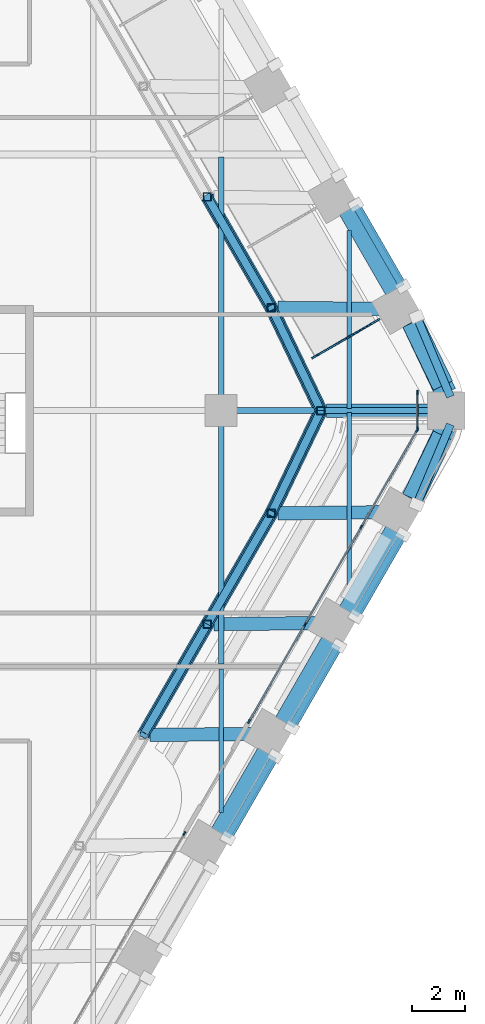
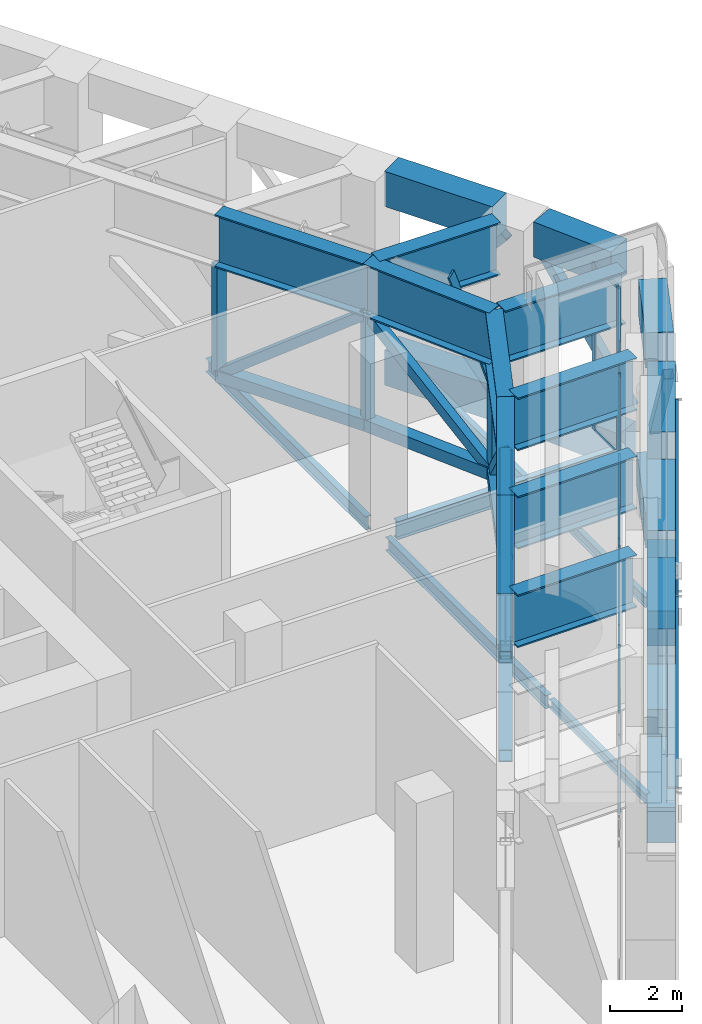
# One storey, part 12 of 35: 37 members, 28 beams, 4 elements without a shape of their own.
"""IFC4 building model written with IfcOpenShell, lengths in metres."""

from ifc_helpers import new_model, si_unit, direction, frame, origin, origin_2d, place, context, subcontext, project, spatial, rectangle, hollow_rectangle, i_section, extrude, material, material_profile, profile_set, type_object, element, aggregate, save


model = new_model("IFC4")

# Units and contexts
model_context = context("Model", 3, precision=1e-05, world=origin(), true_north=direction((0.0, 1.0)))
body_context = subcontext(model_context, "Body", "Model", "MODEL_VIEW")
ifc_project = project(units=[si_unit("LENGTHUNIT", "METRE"), si_unit("AREAUNIT", "SQUARE_METRE"), si_unit("VOLUMEUNIT", "CUBIC_METRE"), si_unit("PLANEANGLEUNIT", "RADIAN"), si_unit("MASSUNIT", "GRAM", prefix="KILO")], contexts=[model_context])

# Site, building, storey
site_placement = place(None, origin())
site = spatial("IfcSite", under=ifc_project, at=site_placement, CompositionType="ELEMENT")
building_placement = place(site_placement, origin())
building = spatial("IfcBuilding", under=site, at=building_placement, Name="Kolab Exchange Tower", CompositionType="ELEMENT")
storey_placement = place(building_placement, frame((0.0, 0.0, 71.89990234375)))
storey = spatial("IfcBuildingStorey", under=building, at=storey_placement, Name="L13", CompositionType="ELEMENT", Elevation=71.89990234375)

# Members
ifc_material_1 = material(Name="Steel S355", Category="steel")
ifc_material_profile_1 = material_profile(ifc_material_1, hollow_rectangle(XDim=0.300048828125, YDim=0.300048828125, WallThickness=0.01611328125, at=origin_2d()), Name="HSS300X300X16")
ifc_profile_set_1 = profile_set([ifc_material_profile_1], Name="Steel S355")
member_type_1 = type_object("IfcMemberType", Name="BELT TRUSS BRACE HSS300X300X16", PredefinedType="BRACE", material=ifc_profile_set_1)
member_1_placement = place(storey_placement, frame((28.280517578125, 8.013916015625, 0.25), z_axis=(0.393995973328, -0.682458742407, 0.615643758934), x_axis=(0.866037363387, 0.499979284789, 0.0)))
element("IfcMember", 1, at=member_1_placement, inside=storey, type_object=member_type_1, Name="mem/L13/ring/d-F2-06", PredefinedType="BRACE", context=body_context, shape_type="SweptSolid", body=[
    extrude(hollow_rectangle(XDim=0.300048828125, YDim=0.300048828125, WallThickness=0.01611328125, at=origin_2d()), origin(), (0.0, 0.0, 1.0), 6.091064453125),
])
for number, where, z_axis, x_axis, name in (
    (2, (30.680419921875, 3.85693359375, 4.0), (0.326067240374, -0.677790824134, -0.658999054229), (0.901145304527, 0.433517173972, 0.0), "mem/L13/ring/d-F2-07"),
    (3, (32.535888671875, 0.0, 0.25), (-0.326067240374, -0.677790824134, 0.658999054229), (0.901145304527, -0.433517173972, 0.0), "mem/L13/ring/d-F3-01"),
):
    element("IfcMember", number, at=place(storey_placement, frame(where, z_axis=z_axis, x_axis=x_axis)), inside=storey, type_object=member_type_1, Name=name, PredefinedType="BRACE", context=body_context, shape_type="SweptSolid", body=[
        extrude(hollow_rectangle(XDim=0.300048828125, YDim=0.300048828125, WallThickness=0.01611328125, at=origin_2d()), origin(), (0.0, 0.0, 1.0), 5.6904296875),
    ])
member_2_placement = place(storey_placement, frame((30.680419921875, -3.85693359375, 4.0), z_axis=(-0.393995973328, -0.682458742407, -0.615643758934), x_axis=(0.866037363387, -0.499979284789, 0.0)))
element("IfcMember", 4, at=member_2_placement, inside=storey, type_object=member_type_1, Name="mem/L13/ring/d-F3-02", PredefinedType="BRACE", context=body_context, shape_type="SweptSolid", body=[
    extrude(hollow_rectangle(XDim=0.300048828125, YDim=0.300048828125, WallThickness=0.01611328125, at=origin_2d()), origin(), (0.0, 0.0, 1.0), 6.091064453125),
])
member_3_placement = place(storey_placement, frame((28.280517578125, -8.013916015625, 0.25), z_axis=(-0.394029831617, -0.682447964901, 0.615634036582), x_axis=(0.866015339567, -0.500017431331, 0.0)))
element("IfcMember", 5, at=member_3_placement, inside=storey, type_object=member_type_1, Name="mem/L13/ring/d-F3-03", PredefinedType="BRACE", context=body_context, shape_type="SweptSolid", body=[
    extrude(hollow_rectangle(XDim=0.300048828125, YDim=0.300048828125, WallThickness=0.01611328125, at=origin_2d()), origin(), (0.0, 0.0, 1.0), 6.09130859375),
])
member_4_placement = place(storey_placement, frame((33.851318359375, 7.72705078125, 0.400146484375), z_axis=(0.328639455646, -0.569235883224, 0.753635599904), x_axis=(0.866031355668, 0.499989690894, 0.0)))
element("IfcMember", 6, at=member_4_placement, inside=storey, type_object=member_type_1, Name="mem/L13/fb/F2-07", PredefinedType="BRACE", context=body_context, shape_type="SweptSolid", body=[
    extrude(hollow_rectangle(XDim=0.300048828125, YDim=0.300048828125, WallThickness=0.01611328125, at=origin_2d()), origin(), (0.0, 0.0, 1.0), 5.3740234375),
])
for number, where, z_axis, x_axis, name in (
    (7, (36.13916015625, 3.5107421875, 4.4501953125), (0.236569610991, -0.563022308645, -0.791859014676), (0.92192349331, 0.387372007872, 0.0), "mem/L13/fb/F2-08"),
    (8, (37.34912109375, -0.631103515625, 0.400146484375), (-0.236569610991, -0.563022308645, 0.791859014676), (0.92192349331, -0.387372007872, 0.0), "mem/L13/fb/F3-01"),
):
    element("IfcMember", number, at=place(storey_placement, frame(where, z_axis=z_axis, x_axis=x_axis)), inside=storey, type_object=member_type_1, Name=name, PredefinedType="BRACE", context=body_context, shape_type="SweptSolid", body=[
        extrude(hollow_rectangle(XDim=0.300048828125, YDim=0.300048828125, WallThickness=0.01611328125, at=origin_2d()), origin(), (0.0, 0.0, 1.0), 5.114501953125),
    ])
for number, where, z_axis, x_axis, name in (
    (9, (35.617431640625, -4.66796875, 4.4501953125), (-0.328639455646, -0.569235883224, -0.753635599904), (0.866031355668, -0.499989690894, 0.0), "mem/L13/fb/F3-02"),
    (10, (33.217529296875, -8.824951171875, 0.400146484375), (-0.328639455646, -0.569235883224, 0.753635599904), (0.866031355668, -0.499989690894, 0.0), "mem/L13/fb/F3-03"),
):
    element("IfcMember", number, at=place(storey_placement, frame(where, z_axis=z_axis, x_axis=x_axis)), inside=storey, type_object=member_type_1, Name=name, PredefinedType="BRACE", context=body_context, shape_type="SweptSolid", body=[
        extrude(hollow_rectangle(XDim=0.300048828125, YDim=0.300048828125, WallThickness=0.01611328125, at=origin_2d()), origin(), (0.0, 0.0, 1.0), 5.3740234375),
    ])
member_5_placement = place(storey_placement, frame((30.8173828125, -12.981689453125, 4.4501953125), z_axis=(-0.328630956923, -0.569266591264, -0.753616110644), x_axis=(0.866048632561, -0.49995976442, 0.0)))
element("IfcMember", 11, at=member_5_placement, inside=storey, type_object=member_type_1, Name="mem/L13/fb/F3-04", PredefinedType="BRACE", context=body_context, shape_type="SweptSolid", body=[
    extrude(hollow_rectangle(XDim=0.300048828125, YDim=0.300048828125, WallThickness=0.01611328125, at=origin_2d()), origin(), (0.0, 0.0, 1.0), 5.374267578125),
])
ifc_material_profile_2 = material_profile(ifc_material_1, hollow_rectangle(XDim=0.39990234375, YDim=0.39990234375, WallThickness=0.02001953125, at=origin_2d()), Name="HSS400X400X20")
ifc_profile_set_2 = profile_set([ifc_material_profile_2], Name="Steel S355")
member_type_2 = type_object("IfcMemberType", Name="BELT TRUSS CHORD HSS400X400X20", PredefinedType="CHORD", material=ifc_profile_set_2)
member_6_placement = place(storey_placement, frame((28.280517578125, 8.013916015625, 0.25), z_axis=(0.499979284789, -0.866037363387, 0.0), x_axis=(0.866037363387, 0.499979284789, 0.0)))
element("IfcMember", 12, at=member_6_placement, inside=storey, type_object=member_type_2, Name="mem/L13/ring/c-F2-06", PredefinedType="CHORD", context=body_context, shape_type="SweptSolid", body=[
    extrude(hollow_rectangle(XDim=0.39990234375, YDim=0.39990234375, WallThickness=0.02001953125, at=origin_2d()), origin(), (0.0, 0.0, 1.0), 4.800048828125),
])
for number, where, z_axis, x_axis, name in (
    (13, (30.680419921875, 3.85693359375, 0.25), (0.433517173972, -0.901145304527, 0.0), (0.901145304527, 0.433517173972, 0.0), "mem/L13/ring/c-F2-07"),
    (14, (32.535888671875, 0.0, 0.25), (-0.433517173972, -0.901145304527, 0.0), (0.901145304527, -0.433517173972, 0.0), "mem/L13/ring/c-F3-01"),
):
    element("IfcMember", number, at=place(storey_placement, frame(where, z_axis=z_axis, x_axis=x_axis)), inside=storey, type_object=member_type_2, Name=name, PredefinedType="CHORD", context=body_context, shape_type="SweptSolid", body=[
        extrude(hollow_rectangle(XDim=0.39990234375, YDim=0.39990234375, WallThickness=0.02001953125, at=origin_2d()), origin(), (0.0, 0.0, 1.0), 4.280029296875),
    ])
for number, where, z_axis, x_axis, name in (
    (15, (30.680419921875, -3.85693359375, 0.25), (-0.499979284789, -0.866037363387, 0.0), (0.866037363387, -0.499979284789, 0.0), "mem/L13/ring/c-F3-02"),
    (16, (28.280517578125, -8.013916015625, 0.25), (-0.500017431331, -0.866015339567, 0.0), (0.866015339567, -0.500017431331, 0.0), "mem/L13/ring/c-F3-03"),
):
    element("IfcMember", number, at=place(storey_placement, frame(where, z_axis=z_axis, x_axis=x_axis)), inside=storey, type_object=member_type_2, Name=name, PredefinedType="CHORD", context=body_context, shape_type="SweptSolid", body=[
        extrude(hollow_rectangle(XDim=0.39990234375, YDim=0.39990234375, WallThickness=0.02001953125, at=origin_2d()), origin(), (0.0, 0.0, 1.0), 4.800048828125),
    ])

# Beams
ifc_material_profile_3 = material_profile(ifc_material_1, i_section(OverallWidth=0.5, OverallDepth=1.800048828125, WebThickness=0.031982421875, FlangeThickness=0.050048828125, at=origin_2d()), Name="PG1800X500")
ifc_profile_set_3 = profile_set([ifc_material_profile_3], Name="Steel S355")
beam_type_1 = type_object("IfcBeamType", Name="BELT TRUSS GIRDER PG1800X500", PredefinedType="BEAM", material=ifc_profile_set_3)
beam_1_placement = place(storey_placement, frame((28.280517578125, 8.013916015625, 4.900146484375), z_axis=(0.499979284789, -0.866037363387, 0.0), x_axis=(0.866037363387, 0.499979284789, 0.0)))
element("IfcBeam", 17, at=beam_1_placement, inside=storey, type_object=beam_type_1, Name="beam/L13/bg/F2-run4", PredefinedType="BEAM", context=body_context, shape_type="SweptSolid", body=[
    extrude(i_section(OverallWidth=0.5, OverallDepth=1.800048828125, WebThickness=0.031982421875, FlangeThickness=0.050048828125, at=origin_2d()), origin(), (0.0, 0.0, 1.0), 4.800048828125),
])
for number, where, z_axis, x_axis, name in (
    (18, (30.680419921875, 3.85693359375, 4.900146484375), (0.433517173972, -0.901145304527, 0.0), (0.901145304527, 0.433517173972, 0.0), "beam/L13/bg/F2-out"),
    (19, (32.535888671875, 0.0, 4.900146484375), (-0.433517173972, -0.901145304527, 0.0), (0.901145304527, -0.433517173972, 0.0), "beam/L13/bg/F3-in"),
):
    element("IfcBeam", number, at=place(storey_placement, frame(where, z_axis=z_axis, x_axis=x_axis)), inside=storey, type_object=beam_type_1, Name=name, PredefinedType="BEAM", context=body_context, shape_type="SweptSolid", body=[
        extrude(i_section(OverallWidth=0.5, OverallDepth=1.800048828125, WebThickness=0.031982421875, FlangeThickness=0.050048828125, at=origin_2d()), origin(), (0.0, 0.0, 1.0), 4.280029296875),
    ])
for number, where, z_axis, x_axis, name in (
    (20, (30.680419921875, -3.85693359375, 4.900146484375), (-0.499979284789, -0.866037363387, 0.0), (0.866037363387, -0.499979284789, 0.0), "beam/L13/bg/F3-run0"),
    (21, (28.280517578125, -8.013916015625, 4.900146484375), (-0.500017431331, -0.866015339567, 0.0), (0.866015339567, -0.500017431331, 0.0), "beam/L13/bg/F3-run1"),
):
    element("IfcBeam", number, at=place(storey_placement, frame(where, z_axis=z_axis, x_axis=x_axis)), inside=storey, type_object=beam_type_1, Name=name, PredefinedType="BEAM", context=body_context, shape_type="SweptSolid", body=[
        extrude(i_section(OverallWidth=0.5, OverallDepth=1.800048828125, WebThickness=0.031982421875, FlangeThickness=0.050048828125, at=origin_2d()), origin(), (0.0, 0.0, 1.0), 4.800048828125),
    ])

# Members
ifc_material_profile_4 = material_profile(ifc_material_1, hollow_rectangle(XDim=0.300048828125, YDim=0.300048828125, WallThickness=0.01611328125, at=origin_2d()), Name="HSS300X300X16")
ifc_profile_set_4 = profile_set([ifc_material_profile_4], Name="Steel S355")
member_type_3 = type_object("IfcMemberType", Name="BELT TRUSS POST HSS300X300X16", PredefinedType="POST", material=ifc_profile_set_4)
for number, where, z_axis, x_axis, name in (
    (22, (28.280517578125, 8.013916015625, 0.25), (0.0, 0.0, 1.0), (1.0, 0.0, 0.0), "mem/L13/ring/p-F2-06"),
    (23, (30.680419921875, 3.85693359375, 0.25), (0.0, 0.0, 1.0), (1.0, 0.0, 0.0), "mem/L13/ring/p-F2-07"),
    (24, (32.535888671875, 0.0, 0.25), (0.0, 0.0, 1.0), (1.0, 0.0, 0.0), "mem/L13/ring/p-F3-01"),
    (25, (30.680419921875, -3.85693359375, 0.25), (0.0, 0.0, 1.0), (1.0, 0.0, 0.0), "mem/L13/ring/p-F3-02"),
    (26, (28.280517578125, -8.013916015625, 0.25), (0.0, 0.0, 1.0), (1.0, 0.0, 0.0), "mem/L13/ring/p-F3-03"),
):
    element("IfcMember", number, at=place(storey_placement, frame(where, z_axis=z_axis, x_axis=x_axis)), inside=storey, type_object=member_type_3, Name=name, PredefinedType="POST", context=body_context, shape_type="SweptSolid", body=[
        extrude(hollow_rectangle(XDim=0.300048828125, YDim=0.300048828125, WallThickness=0.01611328125, at=origin_2d()), origin(), (0.0, 0.0, 1.0), 3.75),
    ])

# Curtain wall, member
ifc_material_2 = material(Name="Aluminium EN AW-6063 T6", Category="aluminium")
curtain_wall_type_1 = type_object("IfcCurtainWallType", Name="CANTED BAND CURTAIN WALL", PredefinedType="NOTDEFINED", material=ifc_material_2)
curtain_wall_1_placement = place(storey_placement, origin())
curtain_wall_1 = element("IfcCurtainWall", 27, at=curtain_wall_1_placement, inside=storey, type_object=curtain_wall_type_1, Name="band/L13/F2", PredefinedType="NOTDEFINED")
ifc_material_profile_5 = material_profile(ifc_material_2, rectangle(XDim=0.06005859375, YDim=0.300048828125, at=origin_2d()), Name="RECT 60X300")
ifc_profile_set_5 = profile_set([ifc_material_profile_5], Name="Aluminium EN AW-6063 T6")
member_type_4 = type_object("IfcMemberType", Name="CANTED BAND MULLION 60 X 300", PredefinedType="MULLION", material=ifc_profile_set_5)
member_7_placement = place(storey_placement, frame((34.631591796875, 3.366943359375, -0.099853515625), z_axis=(-0.355801131063, -0.205424096945, 0.911705267907), x_axis=(0.500004049237, -0.866023065944, 0.0)))
member_7 = element("IfcMember", 28, at=member_7_placement, type_object=member_type_4, Name="Band mullion", PredefinedType="MULLION", context=body_context, shape_type="SweptSolid", body=[
    extrude(rectangle(XDim=0.06005859375, YDim=0.300048828125, at=origin_2d()), origin(), (0.0, 0.0, 1.0), 6.51513671875),
])
aggregate(curtain_wall_1, [member_7])

# Beams
ifc_material_profile_6 = material_profile(ifc_material_1, i_section(OverallWidth=0.1650390625, OverallDepth=0.31005859375, WebThickness=0.005859375, FlangeThickness=0.009765625, at=origin_2d()), Name="W310X39")
ifc_profile_set_6 = profile_set([ifc_material_profile_6], Name="Steel S355")
beam_type_2 = type_object("IfcBeamType", Name="FLOOR BEAM W310X39", PredefinedType="BEAM", material=ifc_profile_set_6)
beam_2_placement = place(storey_placement, frame((28.800048828125, -15.067626953125, -0.454833984375), z_axis=(0.0, 1.0, 0.0), x_axis=(-1.0, 0.0, 0.0)))
element("IfcBeam", 29, at=beam_2_placement, inside=storey, type_object=beam_type_2, Name="beam/L13/fr/058", PredefinedType="BEAM", context=body_context, shape_type="SweptSolid", body=[
    extrude(i_section(OverallWidth=0.1650390625, OverallDepth=0.31005859375, WebThickness=0.005859375, FlangeThickness=0.009765625, at=origin_2d()), origin(), (0.0, 0.0, 1.0), 5.3740234375),
])
ifc_material_profile_7 = material_profile(ifc_material_1, i_section(OverallWidth=0.1708984375, OverallDepth=0.35498046875, WebThickness=0.007080078125, FlangeThickness=0.01171875, at=origin_2d()), Name="W360X51")
ifc_profile_set_7 = profile_set([ifc_material_profile_7], Name="Steel S355")
beam_type_3 = type_object("IfcBeamType", Name="FLOOR BEAM W360X51", PredefinedType="BEAM", material=ifc_profile_set_7)
for number, where, z_axis, x_axis, name in (
    (30, (33.60009765625, -6.75390625, -0.477294921875), (0.0, 1.0, 0.0), (-1.0, 0.0, 0.0), "beam/L13/fr/062"),
    (31, (33.60009765625, 0.073974609375, -0.477294921875), (0.0, 1.0, 0.0), (-1.0, 0.0, 0.0), "beam/L13/fr/063"),
):
    element("IfcBeam", number, at=place(storey_placement, frame(where, z_axis=z_axis, x_axis=x_axis)), inside=storey, type_object=beam_type_3, Name=name, PredefinedType="BEAM", context=body_context, shape_type="SweptSolid", body=[
        extrude(i_section(OverallWidth=0.1708984375, OverallDepth=0.35498046875, WebThickness=0.007080078125, FlangeThickness=0.01171875, at=origin_2d()), origin(), (0.0, 0.0, 1.0), 6.679931640625),
    ])
ifc_material_profile_8 = material_profile(ifc_material_1, i_section(OverallWidth=0.18994140625, OverallDepth=0.45703125, WebThickness=0.009033203125, FlangeThickness=0.014404296875, at=origin_2d()), Name="W460X74")
ifc_profile_set_8 = profile_set([ifc_material_profile_8], Name="Steel S355")
beam_type_4 = type_object("IfcBeamType", Name="FLOOR BEAM W460X74", PredefinedType="BEAM", material=ifc_profile_set_8)
for number, where, z_axis, x_axis, name in (
    (32, (28.800048828125, -9.506591796875, -0.5283203125), (0.0, 1.0, 0.0), (-1.0, 0.0, 0.0), "beam/L13/fr/059"),
    (33, (28.800048828125, 0.56005859375, -0.5283203125), (0.0, 1.0, 0.0), (-1.0, 0.0, 0.0), "beam/L13/fr/060"),
):
    element("IfcBeam", number, at=place(storey_placement, frame(where, z_axis=z_axis, x_axis=x_axis)), inside=storey, type_object=beam_type_4, Name=name, PredefinedType="BEAM", context=body_context, shape_type="SweptSolid", body=[
        extrude(i_section(OverallWidth=0.18994140625, OverallDepth=0.45703125, WebThickness=0.009033203125, FlangeThickness=0.014404296875, at=origin_2d()), origin(), (0.0, 0.0, 1.0), 8.946533203125),
    ])
ifc_material_profile_9 = material_profile(ifc_material_1, i_section(OverallWidth=0.22802734375, OverallDepth=0.60791015625, WebThickness=0.01123046875, FlangeThickness=0.017333984375, at=origin_2d()), Name="W610X113")
ifc_profile_set_9 = profile_set([ifc_material_profile_9], Name="Steel S355")
beam_type_5 = type_object("IfcBeamType", Name="FLOOR GIRDER W610X113", PredefinedType="BEAM", material=ifc_profile_set_9)
beam_3_placement = place(storey_placement, frame((29.360107421875, 0.0, -0.60400390625), z_axis=(1.0, 0.0, 0.0), x_axis=(0.0, 1.0, 0.0)))
element("IfcBeam", 34, at=beam_3_placement, inside=storey, type_object=beam_type_5, Name="beam/L13/gd/025", PredefinedType="BEAM", context=body_context, shape_type="SweptSolid", body=[
    extrude(i_section(OverallWidth=0.22802734375, OverallDepth=0.60791015625, WebThickness=0.01123046875, FlangeThickness=0.017333984375, at=origin_2d()), origin(), (0.0, 0.0, 1.0), 7.2158203125),
])
ifc_material_3 = material(Name="Concrete C80/95", Category="concrete")
ifc_material_profile_10 = material_profile(ifc_material_3, rectangle(XDim=0.800048828125, YDim=1.199951171875, at=origin_2d()), Name="RC800X1200")
ifc_profile_set_10 = profile_set([ifc_material_profile_10], Name="Concrete C80/95")
beam_type_6 = type_object("IfcBeamType", Name="SPANDREL BEAM 800X1200 C80/95", PredefinedType="BEAM", material=ifc_profile_set_10)
beam_4_placement = place(storey_placement, frame((33.58349609375, 7.542236328125, -0.89990234375), z_axis=(0.500009906705, -0.86601968407, 0.0), x_axis=(0.86601968407, 0.500009906705, 0.0)))
element("IfcBeam", 35, at=beam_4_placement, inside=storey, type_object=beam_type_6, Name="beam/L13/sp/F2-07", PredefinedType="BEAM", context=body_context, shape_type="SweptSolid", body=[
    extrude(rectangle(XDim=0.800048828125, YDim=1.199951171875, at=origin_2d()), origin(), (0.0, 0.0, 1.0), 3.47998046875),
])
for number, where, z_axis, x_axis, name in (
    (36, (35.93798828125, 3.35888671875, -0.89990234375), (0.429555669245, -0.903040379507, 0.0), (0.903040379507, 0.429555669245, 0.0), "beam/L13/sp/F2-08"),
    (37, (37.219970703125, -0.663818359375, -0.89990234375), (-0.429555669245, -0.903040379507, 0.0), (0.903040379507, -0.429555669245, 0.0), "beam/L13/sp/F3-01"),
):
    element("IfcBeam", number, at=place(storey_placement, frame(where, z_axis=z_axis, x_axis=x_axis)), inside=storey, type_object=beam_type_6, Name=name, PredefinedType="BEAM", context=body_context, shape_type="SweptSolid", body=[
        extrude(rectangle(XDim=0.800048828125, YDim=1.199951171875, at=origin_2d()), origin(), (0.0, 0.0, 1.0), 2.984375),
    ])
beam_5_placement = place(storey_placement, frame((35.323486328125, -4.528564453125, -0.89990234375), z_axis=(-0.500009906705, -0.86601968407, 0.0), x_axis=(0.86601968407, -0.500009906705, 0.0)))
element("IfcBeam", 38, at=beam_5_placement, inside=storey, type_object=beam_type_6, Name="beam/L13/sp/F3-02", PredefinedType="BEAM", context=body_context, shape_type="SweptSolid", body=[
    extrude(rectangle(XDim=0.800048828125, YDim=1.199951171875, at=origin_2d()), origin(), (0.0, 0.0, 1.0), 3.47998046875),
])
for number, where, z_axis, x_axis, name in (
    (39, (32.923583984375, -8.685302734375, -0.89990234375), (-0.499979528911, -0.866037222451, 0.0), (0.866037222451, -0.499979528911, 0.0), "beam/L13/sp/F3-03"),
    (40, (30.523681640625, -12.84228515625, -0.89990234375), (-0.499979528911, -0.866037222451, 0.0), (0.866037222451, -0.499979528911, 0.0), "beam/L13/sp/F3-04"),
):
    element("IfcBeam", number, at=place(storey_placement, frame(where, z_axis=z_axis, x_axis=x_axis)), inside=storey, type_object=beam_type_6, Name=name, PredefinedType="BEAM", context=body_context, shape_type="SweptSolid", body=[
        extrude(rectangle(XDim=0.800048828125, YDim=1.199951171875, at=origin_2d()), origin(), (0.0, 0.0, 1.0), 3.480224609375),
    ])
beam_6_placement = place(storey_placement, frame((33.58349609375, 7.542236328125, 5.2001953125), z_axis=(0.500009906705, -0.86601968407, 0.0), x_axis=(0.86601968407, 0.500009906705, 0.0)))
element("IfcBeam", 41, at=beam_6_placement, inside=storey, type_object=beam_type_6, Name="beam/L13/cp/F2-07", PredefinedType="BEAM", context=body_context, shape_type="SweptSolid", body=[
    extrude(rectangle(XDim=0.800048828125, YDim=1.199951171875, at=origin_2d()), origin(), (0.0, 0.0, 1.0), 3.47998046875),
])
for number, where, z_axis, x_axis, name in (
    (42, (35.97265625, 3.29931640625, 5.2001953125), (0.435607113353, -0.900136902252, 0.0), (0.900136902252, 0.435607113353, 0.0), "beam/L13/cp/F2-08"),
    (43, (37.1162109375, -0.936279296875, 5.2001953125), (-0.435607113353, -0.900136902252, 0.0), (0.900136902252, -0.435607113353, 0.0), "beam/L13/cp/F3-01"),
):
    element("IfcBeam", number, at=place(storey_placement, frame(where, z_axis=z_axis, x_axis=x_axis)), inside=storey, type_object=beam_type_6, Name=name, PredefinedType="BEAM", context=body_context, shape_type="SweptSolid", body=[
        extrude(rectangle(XDim=0.800048828125, YDim=1.199951171875, at=origin_2d()), origin(), (0.0, 0.0, 1.0), 2.625244140625),
    ])
beam_7_placement = place(storey_placement, frame((35.323486328125, -4.528564453125, 5.2001953125), z_axis=(-0.500009906705, -0.86601968407, 0.0), x_axis=(0.86601968407, -0.500009906705, 0.0)))
element("IfcBeam", 44, at=beam_7_placement, inside=storey, type_object=beam_type_6, Name="beam/L13/cp/F3-02", PredefinedType="BEAM", context=body_context, shape_type="SweptSolid", body=[
    extrude(rectangle(XDim=0.800048828125, YDim=1.199951171875, at=origin_2d()), origin(), (0.0, 0.0, 1.0), 3.47998046875),
])
for number, where, z_axis, x_axis, name in (
    (45, (32.923583984375, -8.685302734375, 5.2001953125), (-0.499979528911, -0.866037222451, 0.0), (0.866037222451, -0.499979528911, 0.0), "beam/L13/cp/F3-03"),
    (46, (30.523681640625, -12.84228515625, 5.2001953125), (-0.499979528911, -0.866037222451, 0.0), (0.866037222451, -0.499979528911, 0.0), "beam/L13/cp/F3-04"),
):
    element("IfcBeam", number, at=place(storey_placement, frame(where, z_axis=z_axis, x_axis=x_axis)), inside=storey, type_object=beam_type_6, Name=name, PredefinedType="BEAM", context=body_context, shape_type="SweptSolid", body=[
        extrude(rectangle(XDim=0.800048828125, YDim=1.199951171875, at=origin_2d()), origin(), (0.0, 0.0, 1.0), 3.480224609375),
    ])
ifc_material_profile_11 = material_profile(ifc_material_1, i_section(OverallWidth=0.5, OverallDepth=1.800048828125, WebThickness=0.031982421875, FlangeThickness=0.050048828125, at=origin_2d()), Name="PG1800X500")
ifc_profile_set_11 = profile_set([ifc_material_profile_11], Name="Steel S355")
beam_type_7 = type_object("IfcBeamType", Name="TRANSFER GIRDER PG1800X500", PredefinedType="BEAM", material=ifc_profile_set_11)
beam_8_placement = place(storey_placement, frame((30.930419921875, 3.854248046875, 4.900146484375), z_axis=(0.999943937573, -0.010588753956, 0.0), x_axis=(0.010588753956, 0.999943937573, 0.0)))
element("IfcBeam", 47, at=beam_8_placement, inside=storey, type_object=beam_type_7, Name="beam/L13/tg/F2-07", PredefinedType="BEAM", context=body_context, shape_type="SweptSolid", body=[
    extrude(i_section(OverallWidth=0.5, OverallDepth=1.800048828125, WebThickness=0.031982421875, FlangeThickness=0.050048828125, at=origin_2d()), origin(), (0.0, 0.0, 1.0), 3.87353515625),
])
beam_9_placement = place(storey_placement, frame((32.755859375, 0.0, 4.900146484375), z_axis=(1.0, 0.0, 0.0), x_axis=(0.0, 1.0, 0.0)))
element("IfcBeam", 48, at=beam_9_placement, inside=storey, type_object=beam_type_7, Name="beam/L13/tg/F3-01", PredefinedType="BEAM", context=body_context, shape_type="SweptSolid", body=[
    extrude(i_section(OverallWidth=0.5, OverallDepth=1.800048828125, WebThickness=0.031982421875, FlangeThickness=0.050048828125, at=origin_2d()), origin(), (0.0, 0.0, 1.0), 3.89013671875),
])
for number, where, z_axis, x_axis, name in (
    (49, (30.930419921875, -3.854248046875, 4.900146484375), (0.999943937573, 0.010588753956, 0.0), (-0.010588753956, 0.999943937573, 0.0), "beam/L13/tg/F3-02"),
    (50, (28.530517578125, -8.01123046875, 4.900146484375), (0.999943937573, 0.010588753956, 0.0), (-0.010588753956, 0.999943937573, 0.0), "beam/L13/tg/F3-03"),
):
    element("IfcBeam", number, at=place(storey_placement, frame(where, z_axis=z_axis, x_axis=x_axis)), inside=storey, type_object=beam_type_7, Name=name, PredefinedType="BEAM", context=body_context, shape_type="SweptSolid", body=[
        extrude(i_section(OverallWidth=0.5, OverallDepth=1.800048828125, WebThickness=0.031982421875, FlangeThickness=0.050048828125, at=origin_2d()), origin(), (0.0, 0.0, 1.0), 3.87353515625),
    ])
beam_10_placement = place(storey_placement, frame((26.13037109375, -12.168212890625, 4.900146484375), z_axis=(0.999943275385, 0.010651103841, 0.0), x_axis=(-0.010651103841, 0.999943275385, 0.0)))
element("IfcBeam", 51, at=beam_10_placement, inside=storey, type_object=beam_type_7, Name="beam/L13/tg/F3-04", PredefinedType="BEAM", context=body_context, shape_type="SweptSolid", body=[
    extrude(i_section(OverallWidth=0.5, OverallDepth=1.800048828125, WebThickness=0.031982421875, FlangeThickness=0.050048828125, at=origin_2d()), origin(), (0.0, 0.0, 1.0), 3.873779296875),
])

# Curtain wall, members
curtain_wall_type_2 = type_object("IfcCurtainWallType", Name="UNITISED LOW ZONE BELT CURTAIN WALL", PredefinedType="NOTDEFINED", material=ifc_material_2)
curtain_wall_2_placement = place(storey_placement, origin())
curtain_wall_2 = element("IfcCurtainWall", 52, at=curtain_wall_2_placement, inside=storey, type_object=curtain_wall_type_2, Name="cw/L13/F3-1", PredefinedType="NOTDEFINED")
ifc_material_profile_12 = material_profile(ifc_material_2, rectangle(XDim=0.06005859375, YDim=0.159912109375, at=origin_2d()), Name="RECT 60X160")
ifc_profile_set_12 = profile_set([ifc_material_profile_12], Name="Aluminium EN AW-6063 T6")
member_type_5 = type_object("IfcMemberType", Name="UNITISED LOW ZONE BELT MULLION 60 X 160", PredefinedType="MULLION", material=ifc_profile_set_12)
member_8_placement = place(storey_placement, frame((36.150634765625, -0.736083984375, 0.0), z_axis=(0.0, 0.0, 1.0), x_axis=(0.866025427826, -0.499999958358, 0.0)))
member_8 = element("IfcMember", 53, at=member_8_placement, type_object=member_type_5, Name="CW9 mullion 1", PredefinedType="MULLION", context=body_context, shape_type="SweptSolid", body=[
    extrude(rectangle(XDim=0.06005859375, YDim=0.159912109375, at=origin_2d()), origin(), (0.0, 0.0, 1.0), 5.7001953125),
])
member_9_placement = place(storey_placement, frame((34.054443359375, -4.366943359375, 0.0), z_axis=(0.0, 0.0, 1.0), x_axis=(0.866025427826, -0.499999958358, 0.0)))
member_9 = element("IfcMember", 54, at=member_9_placement, type_object=member_type_5, Name="CW9 mullion 2", PredefinedType="MULLION", context=body_context, shape_type="SweptSolid", body=[
    extrude(rectangle(XDim=0.06005859375, YDim=0.159912109375, at=origin_2d()), origin(), (0.0, 0.0, 1.0), 5.7001953125),
])
member_10_placement = place(storey_placement, frame((31.943115234375, -8.02392578125, 0.0), z_axis=(0.0, 0.0, 1.0), x_axis=(0.866025427826, -0.499999958358, 0.0)))
member_10 = element("IfcMember", 55, at=member_10_placement, type_object=member_type_5, Name="CW9 mullion 3", PredefinedType="MULLION", context=body_context, shape_type="SweptSolid", body=[
    extrude(rectangle(XDim=0.06005859375, YDim=0.159912109375, at=origin_2d()), origin(), (0.0, 0.0, 1.0), 5.7001953125),
])
member_11_placement = place(storey_placement, frame((29.8466796875, -11.65478515625, 0.0), z_axis=(0.0, 0.0, 1.0), x_axis=(0.866025427826, -0.499999958358, 0.0)))
member_11 = element("IfcMember", 56, at=member_11_placement, type_object=member_type_5, Name="CW9 mullion 4", PredefinedType="MULLION", context=body_context, shape_type="SweptSolid", body=[
    extrude(rectangle(XDim=0.06005859375, YDim=0.159912109375, at=origin_2d()), origin(), (0.0, 0.0, 1.0), 5.7001953125),
])

# Curtain wall, member
curtain_wall_3_placement = place(storey_placement, origin())
curtain_wall_3 = element("IfcCurtainWall", 57, at=curtain_wall_3_placement, inside=storey, type_object=curtain_wall_type_2, Name="cw/L13/F3-2", PredefinedType="NOTDEFINED")
member_12_placement = place(storey_placement, frame((27.416748046875, -15.86376953125, 0.0), z_axis=(0.0, 0.0, 1.0), x_axis=(0.866025397318, -0.5000000112, 0.0)))
member_12 = element("IfcMember", 58, at=member_12_placement, type_object=member_type_5, Name="CW9 mullion 1", PredefinedType="MULLION", context=body_context, shape_type="SweptSolid", body=[
    extrude(rectangle(XDim=0.06005859375, YDim=0.159912109375, at=origin_2d()), origin(), (0.0, 0.0, 1.0), 5.7001953125),
])
aggregate(curtain_wall_3, [member_12])

# Curtain wall, members
curtain_wall_4_placement = place(storey_placement, origin())
curtain_wall_4 = element("IfcCurtainWall", 59, at=curtain_wall_4_placement, inside=storey, type_object=curtain_wall_type_2, Name="cw/L13/F2F3-corner", PredefinedType="NOTDEFINED")
member_13_placement = place(storey_placement, frame((36.165771484375, 0.679931640625, 0.0), z_axis=(0.0, 0.0, 1.0), x_axis=(1.0, 0.0, 0.0)))
member_13 = element("IfcMember", 60, at=member_13_placement, type_object=member_type_5, Name="CW9 mullion 1", PredefinedType="MULLION", context=body_context, shape_type="SweptSolid", body=[
    extrude(rectangle(XDim=0.06005859375, YDim=0.159912109375, at=origin_2d()), origin(), (0.0, 0.0, 1.0), 5.7001953125),
])
member_14_placement = place(storey_placement, frame((36.165771484375, -0.679931640625, 0.0), z_axis=(0.0, 0.0, 1.0), x_axis=(1.0, 0.0, 0.0)))
member_14 = element("IfcMember", 61, at=member_14_placement, type_object=member_type_5, Name="CW9 mullion 2", PredefinedType="MULLION", context=body_context, shape_type="SweptSolid", body=[
    extrude(rectangle(XDim=0.06005859375, YDim=0.159912109375, at=origin_2d()), origin(), (0.0, 0.0, 1.0), 5.7001953125),
])

# Member
ifc_material_profile_13 = material_profile(ifc_material_2, rectangle(XDim=0.06005859375, YDim=0.10009765625, at=origin_2d()), Name="RECT 60X100")
ifc_profile_set_13 = profile_set([ifc_material_profile_13], Name="Aluminium EN AW-6063 T6")
member_type_6 = type_object("IfcMemberType", Name="UNITISED LOW ZONE BELT TRANSOM 60 X 100", PredefinedType="USERDEFINED", material=ifc_profile_set_13)
member_15_placement = place(storey_placement, frame((36.1357421875, -0.761962890625, 0.030029296875), z_axis=(-0.500027577057, -0.866009481578, 0.0), x_axis=(0.866009481578, -0.500027577057, 0.0)))
member_15 = element("IfcMember", 62, at=member_15_placement, type_object=member_type_6, Name="CW9 transom 1.1", ObjectType="TRANSOM", PredefinedType="USERDEFINED", context=body_context, shape_type="SweptSolid", body=[
    extrude(rectangle(XDim=0.06005859375, YDim=0.10009765625, at=origin_2d()), origin(), (0.0, 0.0, 1.0), 4.132568359375),
])

member_16_placement = place(storey_placement, frame((36.1357421875, -0.761962890625, 5.670166015625), z_axis=(-0.500027577057, -0.866009481578, 0.0), x_axis=(0.866009481578, -0.500027577057, 0.0)))
member_16 = element("IfcMember", 63, at=member_16_placement, type_object=member_type_6, Name="CW9 transom 1.2", ObjectType="TRANSOM", PredefinedType="USERDEFINED", context=body_context, shape_type="SweptSolid", body=[
    extrude(rectangle(XDim=0.06005859375, YDim=0.10009765625, at=origin_2d()), origin(), (0.0, 0.0, 1.0), 4.132568359375),
])

member_17_placement = place(storey_placement, frame((34.039306640625, -4.392822265625, 0.030029296875), z_axis=(-0.49999322259, -0.866029316688, 0.0), x_axis=(0.866029316688, -0.49999322259, 0.0)))
member_17 = element("IfcMember", 64, at=member_17_placement, type_object=member_type_6, Name="CW9 transom 2.1", ObjectType="TRANSOM", PredefinedType="USERDEFINED", context=body_context, shape_type="SweptSolid", body=[
    extrude(rectangle(XDim=0.06005859375, YDim=0.10009765625, at=origin_2d()), origin(), (0.0, 0.0, 1.0), 4.16259765625),
])

member_18_placement = place(storey_placement, frame((34.039306640625, -4.392822265625, 5.670166015625), z_axis=(-0.49999322259, -0.866029316688, 0.0), x_axis=(0.866029316688, -0.49999322259, 0.0)))
member_18 = element("IfcMember", 65, at=member_18_placement, type_object=member_type_6, Name="CW9 transom 2.2", ObjectType="TRANSOM", PredefinedType="USERDEFINED", context=body_context, shape_type="SweptSolid", body=[
    extrude(rectangle(XDim=0.06005859375, YDim=0.10009765625, at=origin_2d()), origin(), (0.0, 0.0, 1.0), 4.16259765625),
])

member_19_placement = place(storey_placement, frame((31.927978515625, -8.0498046875, 0.030029296875), z_axis=(-0.500001996123, -0.866024251319, 0.0), x_axis=(0.866024251319, -0.500001996123, 0.0)))
member_19 = element("IfcMember", 66, at=member_19_placement, type_object=member_type_6, Name="CW9 transom 3.1", ObjectType="TRANSOM", PredefinedType="USERDEFINED", context=body_context, shape_type="SweptSolid", body=[
    extrude(rectangle(XDim=0.06005859375, YDim=0.10009765625, at=origin_2d()), origin(), (0.0, 0.0, 1.0), 4.1328125),
])

member_20_placement = place(storey_placement, frame((31.927978515625, -8.0498046875, 5.670166015625), z_axis=(-0.500001996123, -0.866024251319, 0.0), x_axis=(0.866024251319, -0.500001996123, 0.0)))
member_20 = element("IfcMember", 67, at=member_20_placement, type_object=member_type_6, Name="CW9 transom 3.2", ObjectType="TRANSOM", PredefinedType="USERDEFINED", context=body_context, shape_type="SweptSolid", body=[
    extrude(rectangle(XDim=0.06005859375, YDim=0.10009765625, at=origin_2d()), origin(), (0.0, 0.0, 1.0), 4.1328125),
])

aggregate(curtain_wall_2, [member_8, member_9, member_10, member_11, member_15, member_16, member_17, member_18, member_19, member_20])

member_21_placement = place(storey_placement, frame((36.165771484375, 0.64990234375, 0.030029296875), z_axis=(0.0, -1.0, 0.0), x_axis=(1.0, 0.0, 0.0)))
member_21 = element("IfcMember", 68, at=member_21_placement, type_object=member_type_6, Name="CW9 transom 1.1", ObjectType="TRANSOM", PredefinedType="USERDEFINED", context=body_context, shape_type="SweptSolid", body=[
    extrude(rectangle(XDim=0.06005859375, YDim=0.10009765625, at=origin_2d()), origin(), (0.0, 0.0, 1.0), 1.2998046875),
])

member_22_placement = place(storey_placement, frame((36.165771484375, 0.64990234375, 5.670166015625), z_axis=(0.0, -1.0, 0.0), x_axis=(1.0, 0.0, 0.0)))
member_22 = element("IfcMember", 69, at=member_22_placement, type_object=member_type_6, Name="CW9 transom 1.2", ObjectType="TRANSOM", PredefinedType="USERDEFINED", context=body_context, shape_type="SweptSolid", body=[
    extrude(rectangle(XDim=0.06005859375, YDim=0.10009765625, at=origin_2d()), origin(), (0.0, 0.0, 1.0), 1.2998046875),
])

aggregate(curtain_wall_4, [member_13, member_14, member_21, member_22])

save(model, "model.ifc")
